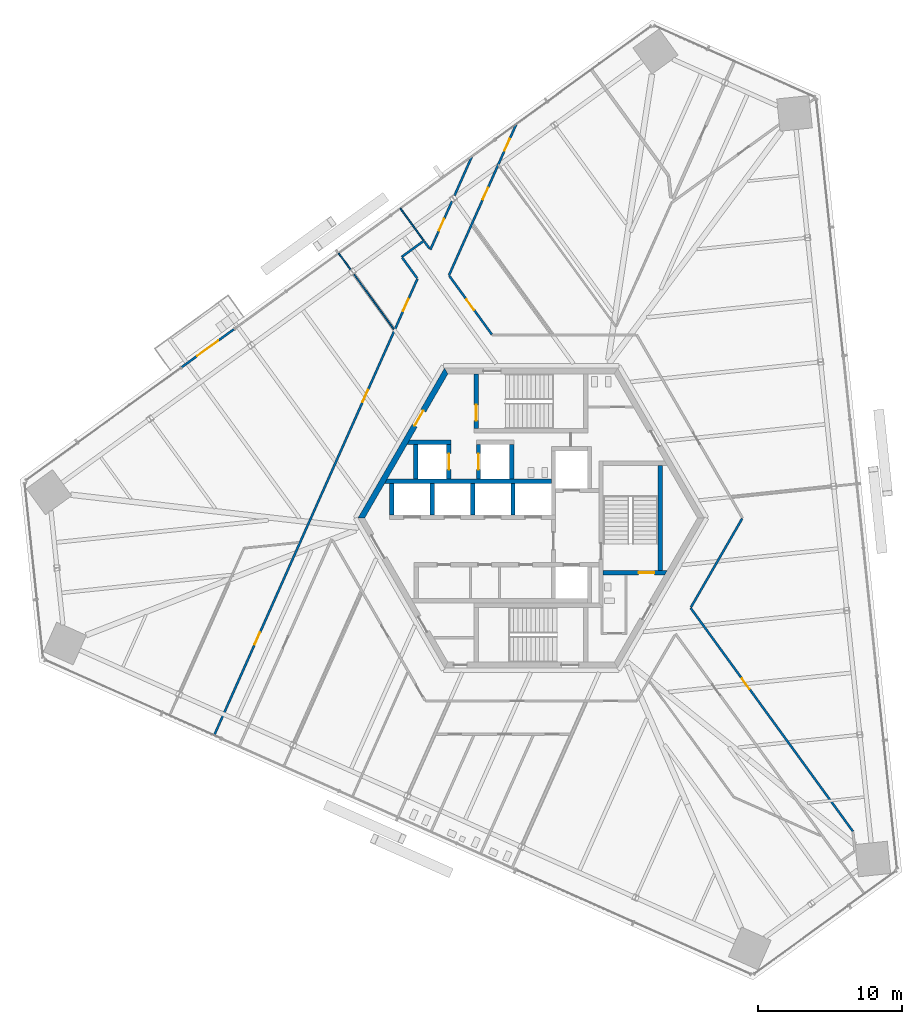
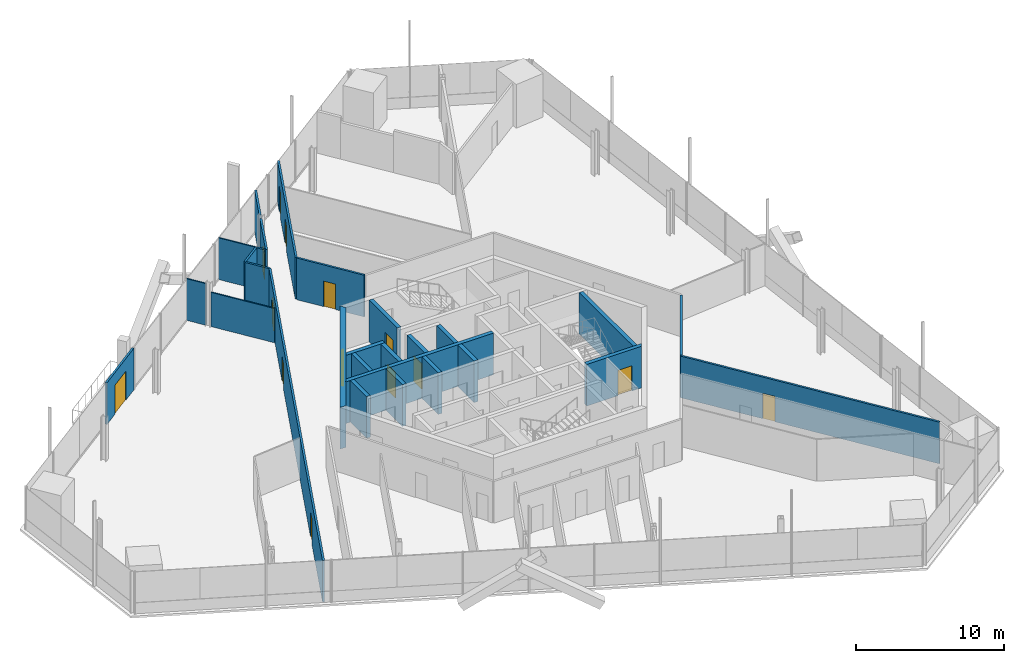
# One storey, part 13 of 21: 28 walls, 14 doors, 14 openings.
"""IFC4 building model written with IfcOpenShell, lengths in metres."""

from ifc_helpers import new_model, si_unit, direction, frame, frame_2d, origin, place, context, subcontext, project, spatial, polyline, rectangle, outline, extrude, source, transform, mapped, material, layer, layer_set, type_object, element, fill, save


model = new_model("IFC4")

# Units and contexts
model_context = context("Model", 3, precision=1e-05, world=origin(), true_north=direction((0.0, 1.0)))
body_context = subcontext(model_context, "Body", "Model", "MODEL_VIEW")
ifc_project = project(units=[si_unit("LENGTHUNIT", "METRE"), si_unit("AREAUNIT", "SQUARE_METRE"), si_unit("VOLUMEUNIT", "CUBIC_METRE"), si_unit("PLANEANGLEUNIT", "RADIAN"), si_unit("MASSUNIT", "GRAM", prefix="KILO")], contexts=[model_context])

# Site, building, storey
site_placement = place(None, origin())
site = spatial("IfcSite", under=ifc_project, at=site_placement, CompositionType="ELEMENT")
building_placement = place(site_placement, origin())
building = spatial("IfcBuilding", under=site, at=building_placement, Name="Triune Harvest Tower", CompositionType="ELEMENT")
storey_placement = place(building_placement, frame((0.0, 0.0, 72.89990234375)))
storey = spatial("IfcBuildingStorey", under=building, at=storey_placement, Name="L17", CompositionType="ELEMENT", Elevation=72.89990234375)

# Walls
ifc_material_1 = material(Name="Gypsum board on steel studs", Category="steel")
ifc_layer_1 = layer(ifc_material_1, 0.14990234375)
ifc_layer_set_1 = layer_set([ifc_layer_1], Name="Gypsum board on steel studs")
wall_type_1 = type_object("IfcWallType", Name="Fire Partition 150 mm", PredefinedType="PARTITIONING", material=ifc_layer_set_1)
wall_1_placement = place(storey_placement, frame((-8.936279296875, 18.052734375, 0.0), z_axis=(0.0, 0.0, 1.0), x_axis=(0.587733231641, -0.809054787035, 0.0)))
element("IfcWall", 1, at=wall_1_placement, inside=storey, type_object=wall_type_1, Name="Partition L17 008", PredefinedType="PARTITIONING", context=body_context, shape_type="SweptSolid", body=[
    extrude(rectangle(XDim=1.755126953125, YDim=0.14990234375, at=frame_2d((0.87744140625, 0.0))), origin(), (0.0, 0.0, 1.0), 3.440185546875),
])
wall_2_placement = place(storey_placement, frame((-7.4052734375, 19.17724609375, 0.0), z_axis=(0.0, 0.0, 1.0), x_axis=(0.587789668622, -0.809013785705, 0.0)))
element("IfcWall", 2, at=wall_2_placement, inside=storey, type_object=wall_type_1, Name="Partition L17 012", PredefinedType="PARTITIONING", context=body_context, shape_type="SweptSolid", body=[
    extrude(rectangle(XDim=0.608154296875, YDim=0.14990234375, at=frame_2d((0.30419921875, 0.0))), origin(), (0.0, 0.0, 1.0), 3.440185546875),
])

# Wall, opening, door
wall_3_placement = place(storey_placement, frame((-5.664306640625, 16.781005859375, 0.0), z_axis=(0.0, 0.0, 1.0), x_axis=(0.587792341651, -0.809011843607, 0.0)))
wall_3 = element("IfcWall", 3, at=wall_3_placement, inside=storey, type_object=wall_type_1, Name="Partition L17 013", PredefinedType="PARTITIONING", context=body_context, shape_type="SweptSolid", body=[
    extrude(rectangle(XDim=5.013671875, YDim=0.14990234375, at=frame_2d((2.5068359375, 0.0))), origin(), (0.0, 0.0, 1.0), 3.440185546875),
])
opening_1_placement = place(wall_3_placement, frame((2.00390625, 0.0, 0.0)))
opening_1 = element("IfcOpeningElement", 4, at=opening_1_placement, cuts=wall_3, Name="Opening L17-010", PredefinedType="OPENING", context=body_context, shape_type="SweptSolid", body=[
    extrude(rectangle(XDim=0.89990234375, YDim=2.10009765625, at=frame_2d((0.449951171875, 1.050048828125))), frame((0.0, 0.0849609375, 0.0), z_axis=(0.0, -1.0, 0.0), x_axis=(1.0, 0.0, 0.0)), (0.0, 0.0, 1.0), 0.169921875),
])
ifc_material_2 = material(Name="Timber and steel door set", Category="steel")
door_type_1 = type_object("IfcDoorType", Name="Single leaf door FD30 left hand 900 x 2100", OperationType="SINGLE_SWING_LEFT", PredefinedType="DOOR", material=ifc_material_2)
door_1_placement = place(opening_1_placement, origin())
door_1 = element("IfcDoor", 5, at=door_1_placement, inside=storey, type_object=door_type_1, Name="Door L17-010 Office 17.10", OperationType="SINGLE_SWING_LEFT", OverallHeight=2.10009765625, OverallWidth=0.89990234375, PredefinedType="DOOR", context=body_context, shape_type="SweptSolid", body=[
    extrude(rectangle(XDim=0.89990234375, YDim=2.10009765625, at=frame_2d((0.449951171875, 1.050048828125))), frame((0.0, 0.02490234375, 0.0), z_axis=(0.0, -1.0, 0.0), x_axis=(1.0, 0.0, 0.0)), (0.0, 0.0, 1.0), 0.050048828125),
])
fill(opening_1, door_1)

wall_4_placement = place(storey_placement, frame((11.056884765625, -6.2333984375, 0.0), z_axis=(0.0, 0.0, 1.0), x_axis=(0.587787220736, -0.809015564213, 0.0)))
wall_4 = element("IfcWall", 6, at=wall_4_placement, inside=storey, type_object=wall_type_1, Name="Partition L17 014", PredefinedType="PARTITIONING", context=body_context, shape_type="SweptSolid", body=[
    extrude(rectangle(XDim=19.145751953125, YDim=0.14990234375, at=frame_2d((9.57275390625, 0.0))), origin(), (0.0, 0.0, 1.0), 3.440185546875),
])
opening_2_placement = place(wall_4_placement, frame((6.0615234375, 0.0, 0.0)))
opening_2 = element("IfcOpeningElement", 7, at=opening_2_placement, cuts=wall_4, Name="Opening L17-002", PredefinedType="OPENING", context=body_context, shape_type="SweptSolid", body=[
    extrude(rectangle(XDim=0.89990234375, YDim=2.10009765625, at=frame_2d((0.449951171875, 1.050048828125))), frame((0.0, 0.0849609375, 0.0), z_axis=(0.0, -1.0, 0.0), x_axis=(1.0, 0.0, 0.0)), (0.0, 0.0, 1.0), 0.169921875),
])
door_2_placement = place(opening_2_placement, origin())
door_2 = element("IfcDoor", 8, at=door_2_placement, inside=storey, type_object=door_type_1, Name="Door L17-002 Open Office 17.02", OperationType="SINGLE_SWING_LEFT", OverallHeight=2.10009765625, OverallWidth=0.89990234375, PredefinedType="DOOR", context=body_context, shape_type="SweptSolid", body=[
    extrude(rectangle(XDim=0.89990234375, YDim=2.10009765625, at=frame_2d((0.449951171875, 1.050048828125))), frame((0.0, 0.02490234375, 0.0), z_axis=(0.0, -1.0, 0.0), x_axis=(1.0, 0.0, 0.0)), (0.0, 0.0, 1.0), 0.050048828125),
])
fill(opening_2, door_2)

# Walls
wall_5_placement = place(storey_placement, frame((-8.9716796875, 18.10107421875, 0.0), z_axis=(0.0, 0.0, 1.0), x_axis=(0.808995728754, 0.587814520796, 0.0)))
element("IfcWall", 9, at=wall_5_placement, inside=storey, type_object=wall_type_1, Name="Partition L17 028", PredefinedType="PARTITIONING", context=body_context, shape_type="SweptSolid", body=[
    extrude(rectangle(XDim=1.869873046875, YDim=0.14990234375, at=frame_2d((0.93505859375, 0.0))), origin(), (0.0, 0.0, 1.0), 3.440185546875),
])
wall_6_placement = place(storey_placement, frame((11.081787109375, -6.190185546875, 0.0), z_axis=(0.0, 0.0, 1.0), x_axis=(0.500012251463, 0.866018330284, 0.0)))
element("IfcWall", 10, at=wall_6_placement, inside=storey, type_object=wall_type_1, Name="Partition L17 030", PredefinedType="PARTITIONING", context=body_context, shape_type="SweptSolid", body=[
    extrude(rectangle(XDim=7.097900390625, YDim=0.14990234375, at=frame_2d((3.548828125, 0.0))), origin(), (0.0, 0.0, 1.0), 3.440185546875),
])

# Wall, openings, doors
wall_7_placement = place(storey_placement, frame((-5.693603515625, 16.8212890625, 0.0), z_axis=(0.0, 0.0, 1.0), x_axis=(0.406732074285, 0.913547491786, 0.0)))
wall_7 = element("IfcWall", 11, at=wall_7_placement, inside=storey, type_object=wall_type_1, Name="Partition L17 044", PredefinedType="PARTITIONING", context=body_context, shape_type="SweptSolid", body=[
    extrude(rectangle(XDim=11.484619140625, YDim=0.14990234375, at=frame_2d((5.7421875, 0.0))), origin(), (0.0, 0.0, 1.0), 3.440185546875),
])
opening_3_placement = place(wall_7_placement, frame((5.754150390625, 0.0, 0.0)))
opening_3 = element("IfcOpeningElement", 12, at=opening_3_placement, cuts=wall_7, Name="Opening L17-006", PredefinedType="OPENING", context=body_context, shape_type="SweptSolid", body=[
    extrude(rectangle(XDim=0.89990234375, YDim=2.10009765625, at=frame_2d((0.449951171875, 1.050048828125))), frame((0.0, 0.0849609375, 0.0), z_axis=(0.0, -1.0, 0.0), x_axis=(1.0, 0.0, 0.0)), (0.0, 0.0, 1.0), 0.169921875),
])
opening_4_placement = place(wall_7_placement, frame((9.455322265625, 0.0, 0.0)))
opening_4 = element("IfcOpeningElement", 13, at=opening_4_placement, cuts=wall_7, Name="Opening L17-007", PredefinedType="OPENING", context=body_context, shape_type="SweptSolid", body=[
    extrude(rectangle(XDim=0.89990234375, YDim=2.10009765625, at=frame_2d((0.449951171875, 1.050048828125))), frame((0.0, 0.0849609375, 0.0), z_axis=(0.0, -1.0, 0.0), x_axis=(1.0, 0.0, 0.0)), (0.0, 0.0, 1.0), 0.169921875),
])
door_3_placement = place(opening_3_placement, origin())
door_3 = element("IfcDoor", 14, at=door_3_placement, inside=storey, type_object=door_type_1, Name="Door L17-006 Project Room 17.06", OperationType="SINGLE_SWING_LEFT", OverallHeight=2.10009765625, OverallWidth=0.89990234375, PredefinedType="DOOR", context=body_context, shape_type="SweptSolid", body=[
    extrude(rectangle(XDim=0.89990234375, YDim=2.10009765625, at=frame_2d((0.449951171875, 1.050048828125))), frame((0.0, 0.02490234375, 0.0), z_axis=(0.0, -1.0, 0.0), x_axis=(1.0, 0.0, 0.0)), (0.0, 0.0, 1.0), 0.050048828125),
])
fill(opening_3, door_3)
door_4_placement = place(opening_4_placement, origin())
door_4 = element("IfcDoor", 15, at=door_4_placement, inside=storey, type_object=door_type_1, Name="Door L17-007 Office 17.07", OperationType="SINGLE_SWING_LEFT", OverallHeight=2.10009765625, OverallWidth=0.89990234375, PredefinedType="DOOR", context=body_context, shape_type="SweptSolid", body=[
    extrude(rectangle(XDim=0.89990234375, YDim=2.10009765625, at=frame_2d((0.449951171875, 1.050048828125))), frame((0.0, 0.02490234375, 0.0), z_axis=(0.0, -1.0, 0.0), x_axis=(1.0, 0.0, 0.0)), (0.0, 0.0, 1.0), 0.050048828125),
])
fill(opening_4, door_4)

wall_8_placement = place(storey_placement, frame((-21.969970703125, -15.064208984375, 0.0), z_axis=(0.0, 0.0, 1.0), x_axis=(0.406741745342, 0.91354318595, 0.0)))
wall_8 = element("IfcWall", 16, at=wall_8_placement, inside=storey, type_object=wall_type_1, Name="Partition L17 045", PredefinedType="PARTITIONING", context=body_context, shape_type="SweptSolid", body=[
    extrude(rectangle(XDim=34.652099609375, YDim=0.14990234375, at=frame_2d((17.326171875, 0.0))), origin(), (0.0, 0.0, 1.0), 3.440185546875),
])
opening_5_placement = place(wall_8_placement, frame((32.2021484375, 0.0, 0.0)))
opening_5 = element("IfcOpeningElement", 17, at=opening_5_placement, cuts=wall_8, Name="Opening L17-008", PredefinedType="OPENING", context=body_context, shape_type="SweptSolid", body=[
    extrude(rectangle(XDim=0.89990234375, YDim=2.10009765625, at=frame_2d((0.449951171875, 1.050048828125))), frame((0.0, 0.0849609375, 0.0), z_axis=(0.0, -1.0, 0.0), x_axis=(1.0, 0.0, 0.0)), (0.0, 0.0, 1.0), 0.169921875),
])
opening_6_placement = place(wall_8_placement, frame((25.298095703125, 0.0, 0.0)))
opening_6 = element("IfcOpeningElement", 18, at=opening_6_placement, cuts=wall_8, Name="Opening L17-011", PredefinedType="OPENING", context=body_context, shape_type="SweptSolid", body=[
    extrude(rectangle(XDim=0.89990234375, YDim=2.10009765625, at=frame_2d((0.449951171875, 1.050048828125))), frame((0.0, 0.0849609375, 0.0), z_axis=(0.0, -1.0, 0.0), x_axis=(1.0, 0.0, 0.0)), (0.0, 0.0, 1.0), 0.169921875),
])
opening_7_placement = place(wall_8_placement, frame((6.897705078125, 0.0, 0.0)))
opening_7 = element("IfcOpeningElement", 19, at=opening_7_placement, cuts=wall_8, Name="Opening L17-012", PredefinedType="OPENING", context=body_context, shape_type="SweptSolid", body=[
    extrude(rectangle(XDim=0.89990234375, YDim=2.10009765625, at=frame_2d((0.449951171875, 1.050048828125))), frame((0.0, 0.0849609375, 0.0), z_axis=(0.0, -1.0, 0.0), x_axis=(1.0, 0.0, 0.0)), (0.0, 0.0, 1.0), 0.169921875),
])
door_5_placement = place(opening_7_placement, origin())
door_5 = element("IfcDoor", 20, at=door_5_placement, inside=storey, type_object=door_type_1, Name="Door L17-012 Office 17.12", OperationType="SINGLE_SWING_LEFT", OverallHeight=2.10009765625, OverallWidth=0.89990234375, PredefinedType="DOOR", context=body_context, shape_type="SweptSolid", body=[
    extrude(rectangle(XDim=0.89990234375, YDim=2.10009765625, at=frame_2d((0.449951171875, 1.050048828125))), frame((0.0, 0.02490234375, 0.0), z_axis=(0.0, -1.0, 0.0), x_axis=(1.0, 0.0, 0.0)), (0.0, 0.0, 1.0), 0.050048828125),
])
fill(opening_7, door_5)
ifc_material_3 = material(Name="Timber and steel door set", Category="steel")
door_type_2 = type_object("IfcDoorType", Name="Single leaf door FD30 right hand 900 x 2100", OperationType="SINGLE_SWING_RIGHT", PredefinedType="DOOR", material=ifc_material_3)
door_6_placement = place(opening_5_placement, origin())
door_6 = element("IfcDoor", 21, at=door_6_placement, inside=storey, type_object=door_type_2, Name="Door L17-008 Meeting Room 17.08", OperationType="SINGLE_SWING_RIGHT", OverallHeight=2.10009765625, OverallWidth=0.89990234375, PredefinedType="DOOR", context=body_context, shape_type="SweptSolid", body=[
    extrude(rectangle(XDim=0.89990234375, YDim=2.10009765625, at=frame_2d((0.449951171875, 1.050048828125))), frame((0.0, 0.02490234375, 0.0), z_axis=(0.0, -1.0, 0.0), x_axis=(1.0, 0.0, 0.0)), (0.0, 0.0, 1.0), 0.050048828125),
])
fill(opening_5, door_6)
door_7_placement = place(opening_6_placement, origin())
door_7 = element("IfcDoor", 22, at=door_7_placement, inside=storey, type_object=door_type_2, Name="Door L17-011 Open Office 17.11", OperationType="SINGLE_SWING_RIGHT", OverallHeight=2.10009765625, OverallWidth=0.89990234375, PredefinedType="DOOR", context=body_context, shape_type="SweptSolid", body=[
    extrude(rectangle(XDim=0.89990234375, YDim=2.10009765625, at=frame_2d((0.449951171875, 1.050048828125))), frame((0.0, 0.02490234375, 0.0), z_axis=(0.0, -1.0, 0.0), x_axis=(1.0, 0.0, 0.0)), (0.0, 0.0, 1.0), 0.050048828125),
])
fill(opening_6, door_7)

# Wall, opening, door
wall_9_placement = place(storey_placement, frame((-6.983154296875, 18.596435546875, 0.0), z_axis=(0.0, 0.0, 1.0), x_axis=(0.406753031703, 0.913538160779, 0.0)))
wall_9 = element("IfcWall", 23, at=wall_9_placement, inside=storey, type_object=wall_type_1, Name="Partition L17 046", PredefinedType="PARTITIONING", context=body_context, shape_type="SweptSolid", body=[
    extrude(rectangle(XDim=3.685302734375, YDim=0.14990234375, at=frame_2d((1.8427734375, 0.0))), origin(), (0.0, 0.0, 1.0), 3.440185546875),
])
opening_8_placement = place(wall_9_placement, frame((1.4541015625, 0.0, 0.0)))
opening_8 = element("IfcOpeningElement", 24, at=opening_8_placement, cuts=wall_9, Name="Opening L17-009", PredefinedType="OPENING", context=body_context, shape_type="SweptSolid", body=[
    extrude(rectangle(XDim=0.89990234375, YDim=2.10009765625, at=frame_2d((0.449951171875, 1.050048828125))), frame((0.0, 0.0849609375, 0.0), z_axis=(0.0, -1.0, 0.0), x_axis=(1.0, 0.0, 0.0)), (0.0, 0.0, 1.0), 0.169921875),
])
door_8_placement = place(opening_8_placement, origin())
door_8 = element("IfcDoor", 25, at=door_8_placement, inside=storey, type_object=door_type_2, Name="Door L17-009 Office 17.09", OperationType="SINGLE_SWING_RIGHT", OverallHeight=2.10009765625, OverallWidth=0.89990234375, PredefinedType="DOOR", context=body_context, shape_type="SweptSolid", body=[
    extrude(rectangle(XDim=0.89990234375, YDim=2.10009765625, at=frame_2d((0.449951171875, 1.050048828125))), frame((0.0, 0.02490234375, 0.0), z_axis=(0.0, -1.0, 0.0), x_axis=(1.0, 0.0, 0.0)), (0.0, 0.0, 1.0), 0.050048828125),
])
fill(opening_8, door_8)

# Walls
wall_10_placement = place(storey_placement, frame((-5.306396484375, 22.36279296875, 0.0), z_axis=(0.0, 0.0, 1.0), x_axis=(0.406770569209, 0.913530352, 0.0)))
element("IfcWall", 26, at=wall_10_placement, inside=storey, type_object=wall_type_1, Name="Partition L17 047", PredefinedType="PARTITIONING", context=body_context, shape_type="SweptSolid", body=[
    extrude(rectangle(XDim=2.973876953125, YDim=0.14990234375, at=frame_2d((1.48681640625, 0.0))), origin(), (0.0, 0.0, 1.0), 3.440185546875),
])
ifc_material_4 = material(Name="Gypsum board on steel studs", Category="steel")
ifc_layer_2 = layer(ifc_material_4, 0.10009765625)
ifc_layer_set_2 = layer_set([ifc_layer_2], Name="Gypsum board on steel studs")
wall_type_2 = type_object("IfcWallType", Name="Partition 100 mm", PredefinedType="PARTITIONING", material=ifc_layer_set_2)
wall_11_placement = place(storey_placement, frame((-13.34130859375, 18.36279296875, 0.0), z_axis=(0.0, 0.0, 1.0), x_axis=(0.587782622309, -0.809018905164, 0.0)))
element("IfcWall", 27, at=wall_11_placement, inside=storey, type_object=wall_type_2, Name="Partition L17 005", PredefinedType="PARTITIONING", context=body_context, shape_type="SweptSolid", body=[
    extrude(rectangle(XDim=1.41796875, YDim=0.10009765625, at=frame_2d((0.708984375, 0.0))), origin(), (0.0, 0.0, 1.0), 3.440185546875),
])

# Wall, opening, door
ifc_material_5 = material(Name="Aluminium bronze anodised", Category="aluminium")
ifc_layer_3 = layer(ifc_material_5, 0.14990234375)
ifc_layer_set_3 = layer_set([ifc_layer_3], Name="Aluminium bronze anodised")
wall_type_3 = type_object("IfcWallType", Name="WW-2 balcony window wall", PredefinedType="ELEMENTEDWALL", material=ifc_layer_set_3)
wall_12_placement = place(storey_placement, frame((-24.22802734375, 10.453369140625, 0.0), z_axis=(0.0, 0.0, 1.0), x_axis=(0.809025487211, 0.587773562728, 0.0)))
wall_12 = element("IfcWall", 28, at=wall_12_placement, inside=storey, type_object=wall_type_3, Name="WW-2 B2-F3 L17.9", PredefinedType="ELEMENTEDWALL", context=body_context, shape_type="SweptSolid", body=[
    extrude(rectangle(XDim=4.485595703125, YDim=0.14990234375, at=frame_2d((2.24267578125, 0.0))), origin(), (0.0, 0.0, 1.0), 3.440185546875),
])
opening_9_placement = place(wall_12_placement, frame((1.3427734375, 0.0, 0.0)))
opening_9 = element("IfcOpeningElement", 29, at=opening_9_placement, cuts=wall_12, Name="Opening L17-E01", PredefinedType="OPENING", context=body_context, shape_type="SweptSolid", body=[
    extrude(rectangle(XDim=1.800048828125, YDim=2.39990234375, at=frame_2d((0.89990234375, 1.199951171875))), frame((0.0, 0.0849609375, 0.0), z_axis=(0.0, -1.0, 0.0), x_axis=(1.0, 0.0, 0.0)), (0.0, 0.0, 1.0), 0.169921875),
])
ifc_material_6 = material(Name="Glass", Category="glass")
door_type_3 = type_object("IfcDoorType", Name="DB-1 balcony door 1800 x 2400", OperationType="DOUBLE_DOOR_SINGLE_SWING", PredefinedType="DOOR", material=ifc_material_6)
door_9_placement = place(opening_9_placement, origin())
door_9 = element("IfcDoor", 30, at=door_9_placement, inside=storey, type_object=door_type_3, Name="Door L17-E01", OperationType="DOUBLE_DOOR_SINGLE_SWING", OverallHeight=2.39990234375, OverallWidth=1.800048828125, PredefinedType="DOOR", context=body_context, shape_type="SweptSolid", body=[
    extrude(rectangle(XDim=1.800048828125, YDim=2.39990234375, at=frame_2d((0.89990234375, 1.199951171875))), frame((0.0, 0.02490234375, 0.0), z_axis=(0.0, -1.0, 0.0), x_axis=(1.0, 0.0, 0.0)), (0.0, 0.0, 1.0), 0.050048828125),
])
fill(opening_9, door_9)

ifc_material_7 = material(Name="Concrete 70 MPa", Category="concrete")
ifc_layer_4 = layer(ifc_material_7, 0.39990234375)
ifc_layer_set_4 = layer_set([ifc_layer_4], Name="Concrete 70 MPa")
wall_type_4 = type_object("IfcWallType", Name="Core wall 400", PredefinedType="SHEAR", material=ifc_layer_set_4)
shared_shape_1 = source(origin(), body_context, "Body", "SweptSolid", [
    extrude(outline(polyline([(-0.115478515625, -0.199951171875), (11.884521484375, -0.199951171875), (11.653564453125, 0.199951171875), (0.115478515625, 0.199951171875), (-0.115478515625, -0.199951171875)])), origin(), (0.0, 0.0, 1.0), 3.440185546875),
])
wall_13_placement = place(storey_placement, frame((-5.884521484375, 10.1923828125, 0.0), z_axis=(0.0, 0.0, 1.0), x_axis=(-0.499996592174, -0.866027371285, 0.0)))
wall_13 = element("IfcWall", 31, at=wall_13_placement, inside=storey, type_object=wall_type_4, Name="Hexagon 2 wall", PredefinedType="SHEAR", context=body_context, shape_type="MappedRepresentation", body=[
    mapped(shared_shape_1, transform((0.0, 0.0, 0.0), scale=1.0)),
])
opening_10_placement = place(wall_13_placement, frame((3.1845703125, 0.0, 0.0)))
opening_10 = element("IfcOpeningElement", 32, at=opening_10_placement, cuts=wall_13, Name="Opening CD-SVP", PredefinedType="OPENING", context=body_context, shape_type="SweptSolid", body=[
    extrude(rectangle(XDim=1.199951171875, YDim=2.10009765625, at=frame_2d((0.60009765625, 1.050048828125))), frame((0.0, 0.2099609375, 0.0), z_axis=(0.0, -1.0, 0.0), x_axis=(1.0, 0.0, 0.0)), (0.0, 0.0, 1.0), 0.419921875),
])
ifc_material_8 = material(Name="Steel S235", Category="steel")
door_type_4 = type_object("IfcDoorType", Name="Service door 1200 FD120", OperationType="SINGLE_SWING_LEFT", PredefinedType="DOOR", material=ifc_material_8)
door_10_placement = place(opening_10_placement, frame((1.199951171875, 0.0, 0.0), z_axis=(0.0, 0.0, 1.0), x_axis=(-1.0, 0.0, 0.0)))
door_10 = element("IfcDoor", 33, at=door_10_placement, inside=storey, type_object=door_type_4, Name="Door CD-SVP", OperationType="SINGLE_SWING_RIGHT", OverallHeight=2.10009765625, OverallWidth=1.199951171875, PredefinedType="DOOR", context=body_context, shape_type="SweptSolid", body=[
    extrude(rectangle(XDim=1.199951171875, YDim=2.10009765625, at=frame_2d((0.60009765625, 1.050048828125))), frame((0.0, 0.02490234375, 0.0), z_axis=(0.0, -1.0, 0.0), x_axis=(1.0, 0.0, 0.0)), (0.0, 0.0, 1.0), 0.050048828125),
])
fill(opening_10, door_10)

# Walls
ifc_material_9 = material(Name="Concrete 70 MPa", Category="concrete")
ifc_layer_5 = layer(ifc_material_9, 0.300048828125)
ifc_layer_set_5 = layer_set([ifc_layer_5], Name="Concrete 70 MPa")
wall_type_5 = type_object("IfcWallType", Name="Core wall 300", PredefinedType="SHEAR", material=ifc_layer_set_5)
shared_shape_2 = source(origin(), body_context, "Body", "SweptSolid", [
    extrude(outline(polyline([(11.199951171875, -0.14990234375), (-0.34912109375, -0.14990234375), (-0.17578125, 0.14990234375), (11.199951171875, 0.14990234375), (11.199951171875, -0.14990234375)])), origin(), (0.0, 0.0, 1.0), 3.440185546875),
])
wall_14_placement = place(storey_placement, frame((-9.800048828125, 2.56005859375, 0.0), z_axis=(0.0, 0.0, 1.0), x_axis=(1.0, 0.0, 0.0)))
element("IfcWall", 34, at=wall_14_placement, inside=storey, type_object=wall_type_5, Name="North back wall", PredefinedType="SHEAR", context=body_context, shape_type="MappedRepresentation", body=[
    mapped(shared_shape_2, transform((0.0, 0.0, 0.0), scale=1.0)),
])
shared_shape_3 = source(origin(), body_context, "Body", "SweptSolid", [
    extrude(rectangle(XDim=2.199951171875, YDim=0.300048828125, at=frame_2d((1.10009765625, 0.0))), origin(), (0.0, 0.0, 1.0), 3.440185546875),
])
for number, where, z_axis, x_axis, name in (
    (35, (-9.64990234375, 0.2099609375, 0.0), (0.0, 0.0, 1.0), (0.0, 1.0, 0.0), "North end west wall"),
    (36, (-6.85009765625, 0.2099609375, 0.0), (0.0, 0.0, 1.0), (0.0, 1.0, 0.0), "North cross 1 wall"),
    (37, (-4.050048828125, 0.2099609375, 0.0), (0.0, 0.0, 1.0), (0.0, 1.0, 0.0), "North cross 2 wall"),
    (38, (-1.25, 0.2099609375, 0.0), (0.0, 0.0, 1.0), (0.0, 1.0, 0.0), "North cross 3 wall"),
):
    element("IfcWall", number, at=place(storey_placement, frame(where, z_axis=z_axis, x_axis=x_axis)), inside=storey, type_object=wall_type_5, Name=name, PredefinedType="SHEAR", context=body_context, shape_type="MappedRepresentation", body=[
        mapped(shared_shape_3, transform((0.0, 0.0, 0.0), scale=1.0)),
    ])

# Wall, opening, door
shared_shape_4 = source(origin(), body_context, "Body", "SweptSolid", [
    extrude(outline(polyline([(0.0, -0.14990234375), (0.0, 0.14990234375), (4.43310546875, 0.14990234375), (4.260009765625, -0.14990234375), (0.0, -0.14990234375)])), origin(), (0.0, 0.0, 1.0), 3.440185546875),
])
wall_15_placement = place(storey_placement, frame((5.0, -3.800048828125, 0.0), z_axis=(0.0, 0.0, 1.0), x_axis=(1.0, 0.0, 0.0)))
wall_15 = element("IfcWall", 39, at=wall_15_placement, inside=storey, type_object=wall_type_5, Name="Stair e south wall", PredefinedType="SHEAR", context=body_context, shape_type="MappedRepresentation", body=[
    mapped(shared_shape_4, transform((0.0, 0.0, 0.0), scale=1.0)),
])
opening_11_placement = place(wall_15_placement, frame((2.449951171875, 0.0, 0.0)))
opening_11 = element("IfcOpeningElement", 40, at=opening_11_placement, cuts=wall_15, Name="Opening CD-S3D", PredefinedType="OPENING", context=body_context, shape_type="SweptSolid", body=[
    extrude(rectangle(XDim=1.10009765625, YDim=2.10009765625, at=frame_2d((0.550048828125, 1.050048828125))), frame((0.0, 0.16015625, 0.0), z_axis=(0.0, -1.0, 0.0), x_axis=(1.0, 0.0, 0.0)), (0.0, 0.0, 1.0), 0.320068359375),
])
ifc_material_10 = material(Name="Steel S235", Category="steel")
door_type_5 = type_object("IfcDoorType", Name="Stair door 1100 FD120", OperationType="SINGLE_SWING_LEFT", PredefinedType="DOOR", material=ifc_material_10)
door_11_placement = place(opening_11_placement, frame((1.10009765625, 0.0, 0.0), z_axis=(0.0, 0.0, 1.0), x_axis=(-1.0, 0.0, 0.0)))
door_11 = element("IfcDoor", 41, at=door_11_placement, inside=storey, type_object=door_type_5, Name="Door CD-S3D", OperationType="SINGLE_SWING_RIGHT", OverallHeight=2.10009765625, OverallWidth=1.10009765625, PredefinedType="DOOR", context=body_context, shape_type="SweptSolid", body=[
    extrude(rectangle(XDim=1.10009765625, YDim=2.10009765625, at=frame_2d((0.550048828125, 1.050048828125))), frame((0.0, 0.02490234375, 0.0), z_axis=(0.0, -1.0, 0.0), x_axis=(1.0, 0.0, 0.0)), (0.0, 0.0, 1.0), 0.050048828125),
])
fill(opening_11, door_11)

# Wall
shared_shape_5 = source(origin(), body_context, "Body", "SweptSolid", [
    extrude(rectangle(XDim=7.2998046875, YDim=0.300048828125, at=frame_2d((3.64990234375, 0.0))), origin(), (0.0, 0.0, 1.0), 3.440185546875),
])
wall_16_placement = place(storey_placement, frame((8.949951171875, -3.64990234375, 0.0), z_axis=(0.0, 0.0, 1.0), x_axis=(0.0, 1.0, 0.0)))
element("IfcWall", 42, at=wall_16_placement, inside=storey, type_object=wall_type_5, Name="Stair e east wall", PredefinedType="SHEAR", context=body_context, shape_type="MappedRepresentation", body=[
    mapped(shared_shape_5, transform((0.0, 0.0, 0.0), scale=1.0)),
])

# Wall, opening, door
shared_shape_6 = source(origin(), body_context, "Body", "SweptSolid", [
    extrude(outline(polyline([(0.0, -0.14990234375), (0.0, 0.14990234375), (3.80419921875, 0.14990234375), (3.80419921875, -0.14990234375), (0.0, -0.14990234375)])), origin(), (0.0, 0.0, 1.0), 3.440185546875),
])
wall_17_placement = place(storey_placement, frame((-3.800048828125, 6.18994140625, 0.0), z_axis=(0.0, 0.0, 1.0), x_axis=(0.0, 1.0, 0.0)))
wall_17 = element("IfcWall", 43, at=wall_17_placement, inside=storey, type_object=wall_type_5, Name="Stair n west wall", PredefinedType="SHEAR", context=body_context, shape_type="MappedRepresentation", body=[
    mapped(shared_shape_6, transform((0.0, 0.0, 0.0), scale=1.0)),
])
opening_12_placement = place(wall_17_placement, frame((0.56005859375, 0.0, 0.0)))
opening_12 = element("IfcOpeningElement", 44, at=opening_12_placement, cuts=wall_17, Name="Opening CD-S1L", PredefinedType="OPENING", context=body_context, shape_type="SweptSolid", body=[
    extrude(rectangle(XDim=1.10009765625, YDim=2.10009765625, at=frame_2d((0.550048828125, 1.050048828125))), frame((0.0, 0.16015625, 0.0), z_axis=(0.0, -1.0, 0.0), x_axis=(1.0, 0.0, 0.0)), (0.0, 0.0, 1.0), 0.320068359375),
])
door_12_placement = place(opening_12_placement, frame((1.10009765625, 0.0, 0.0), z_axis=(0.0, 0.0, 1.0), x_axis=(-1.0, 0.0, 0.0)))
door_12 = element("IfcDoor", 45, at=door_12_placement, inside=storey, type_object=door_type_5, Name="Door CD-S1L", OperationType="SINGLE_SWING_RIGHT", OverallHeight=2.10009765625, OverallWidth=1.10009765625, PredefinedType="DOOR", context=body_context, shape_type="SweptSolid", body=[
    extrude(rectangle(XDim=1.10009765625, YDim=2.10009765625, at=frame_2d((0.550048828125, 1.050048828125))), frame((0.0, 0.02490234375, 0.0), z_axis=(0.0, -1.0, 0.0), x_axis=(1.0, 0.0, 0.0)), (0.0, 0.0, 1.0), 0.050048828125),
])
fill(opening_12, door_12)

# Walls
shared_shape_7 = source(origin(), body_context, "Body", "SweptSolid", [
    extrude(outline(polyline([(2.60009765625, -0.14990234375), (-0.440185546875, -0.14990234375), (-0.26708984375, 0.14990234375), (2.60009765625, 0.14990234375), (2.60009765625, -0.14990234375)])), origin(), (0.0, 0.0, 1.0), 3.440185546875),
])
wall_18_placement = place(storey_placement, frame((-8.14990234375, 5.260009765625, 0.0), z_axis=(0.0, 0.0, 1.0), x_axis=(1.0, 0.0, 0.0)))
element("IfcWall", 46, at=wall_18_placement, inside=storey, type_object=wall_type_5, Name="Sv1 north wall", PredefinedType="SHEAR", context=body_context, shape_type="MappedRepresentation", body=[
    mapped(shared_shape_7, transform((0.0, 0.0, 0.0), scale=1.0)),
])
shared_shape_8 = source(origin(), body_context, "Body", "SweptSolid", [
    extrude(rectangle(XDim=2.400146484375, YDim=0.300048828125, at=frame_2d((1.2001953125, 0.0))), origin(), (0.0, 0.0, 1.0), 3.440185546875),
])
wall_19_placement = place(storey_placement, frame((-8.0, 2.7099609375, 0.0), z_axis=(0.0, 0.0, 1.0), x_axis=(0.0, 1.0, 0.0)))
element("IfcWall", 47, at=wall_19_placement, inside=storey, type_object=wall_type_5, Name="Sv1 west wall", PredefinedType="SHEAR", context=body_context, shape_type="MappedRepresentation", body=[
    mapped(shared_shape_8, transform((0.0, 0.0, 0.0), scale=1.0)),
])

# Wall, opening, door
wall_20_placement = place(storey_placement, frame((-5.699951171875, 2.7099609375, 0.0), z_axis=(0.0, 0.0, 1.0), x_axis=(0.0, 1.0, 0.0)))
wall_20 = element("IfcWall", 48, at=wall_20_placement, inside=storey, type_object=wall_type_5, Name="Sv1 east wall", PredefinedType="SHEAR", context=body_context, shape_type="MappedRepresentation", body=[
    mapped(shared_shape_8, transform((0.0, 0.0, 0.0), scale=1.0)),
])
opening_13_placement = place(wall_20_placement, frame((0.64990234375, 0.0, 0.0)))
opening_13 = element("IfcOpeningElement", 49, at=opening_13_placement, cuts=wall_20, Name="Opening LD-SV1-17", PredefinedType="OPENING", context=body_context, shape_type="SweptSolid", body=[
    extrude(rectangle(XDim=1.10009765625, YDim=2.10009765625, at=frame_2d((0.550048828125, 1.050048828125))), frame((0.0, 0.16015625, 0.0), z_axis=(0.0, -1.0, 0.0), x_axis=(1.0, 0.0, 0.0)), (0.0, 0.0, 1.0), 0.320068359375),
])
ifc_material_11 = material(Name="Stainless steel AISI 304", Category="steel")
door_type_6 = type_object("IfcDoorType", Name="Landing door 1100 x 2100", OperationType="DOUBLE_DOOR_SLIDING", PredefinedType="DOOR", material=ifc_material_11)
door_13_placement = place(opening_13_placement, origin())
door_13 = element("IfcDoor", 50, at=door_13_placement, inside=storey, type_object=door_type_6, Name="Door LD-SV1-17", OperationType="DOUBLE_DOOR_SLIDING", OverallHeight=2.10009765625, OverallWidth=1.10009765625, PredefinedType="DOOR", context=body_context, shape_type="SweptSolid", body=[
    extrude(rectangle(XDim=1.10009765625, YDim=2.10009765625, at=frame_2d((0.550048828125, 1.050048828125))), frame((0.0, 0.02490234375, 0.0), z_axis=(0.0, -1.0, 0.0), x_axis=(1.0, 0.0, 0.0)), (0.0, 0.0, 1.0), 0.050048828125),
])
fill(opening_13, door_13)

wall_21_placement = place(storey_placement, frame((-3.64990234375, 2.7099609375, 0.0), z_axis=(0.0, 0.0, 1.0), x_axis=(0.0, 1.0, 0.0)))
wall_21 = element("IfcWall", 51, at=wall_21_placement, inside=storey, type_object=wall_type_5, Name="Sv2 west wall", PredefinedType="SHEAR", context=body_context, shape_type="MappedRepresentation", body=[
    mapped(shared_shape_8, transform((0.0, 0.0, 0.0), scale=1.0)),
])
opening_14_placement = place(wall_21_placement, frame((0.64990234375, 0.0, 0.0)))
opening_14 = element("IfcOpeningElement", 52, at=opening_14_placement, cuts=wall_21, Name="Opening LD-SV2-17", PredefinedType="OPENING", context=body_context, shape_type="SweptSolid", body=[
    extrude(rectangle(XDim=1.10009765625, YDim=2.10009765625, at=frame_2d((0.550048828125, 1.050048828125))), frame((0.0, 0.16015625, 0.0), z_axis=(0.0, -1.0, 0.0), x_axis=(1.0, 0.0, 0.0)), (0.0, 0.0, 1.0), 0.320068359375),
])
door_14_placement = place(opening_14_placement, origin())
door_14 = element("IfcDoor", 53, at=door_14_placement, inside=storey, type_object=door_type_6, Name="Door LD-SV2-17", OperationType="DOUBLE_DOOR_SLIDING", OverallHeight=2.10009765625, OverallWidth=1.10009765625, PredefinedType="DOOR", context=body_context, shape_type="SweptSolid", body=[
    extrude(rectangle(XDim=1.10009765625, YDim=2.10009765625, at=frame_2d((0.550048828125, 1.050048828125))), frame((0.0, 0.02490234375, 0.0), z_axis=(0.0, -1.0, 0.0), x_axis=(1.0, 0.0, 0.0)), (0.0, 0.0, 1.0), 0.050048828125),
])
fill(opening_14, door_14)

# Walls
wall_22_placement = place(storey_placement, frame((-1.35009765625, 2.7099609375, 0.0), z_axis=(0.0, 0.0, 1.0), x_axis=(0.0, 1.0, 0.0)))
element("IfcWall", 54, at=wall_22_placement, inside=storey, type_object=wall_type_5, Name="Sv2 east wall", PredefinedType="SHEAR", context=body_context, shape_type="MappedRepresentation", body=[
    mapped(shared_shape_8, transform((0.0, 0.0, 0.0), scale=1.0)),
])
shared_shape_9 = source(origin(), body_context, "Body", "SweptSolid", [
    extrude(rectangle(XDim=4.71533203125, YDim=0.10009765625, at=frame_2d((2.357666015625, 0.0))), origin(), (0.0, 0.0, 1.0), 2.827880859375),
])
wall_23_placement = place(storey_placement, frame((-12.2880859375, 16.9130859375, 0.0), z_axis=(0.0, 0.0, 1.0), x_axis=(0.58781144721, -0.808997962006, 0.0)))
element("IfcWall", 55, at=wall_23_placement, inside=storey, type_object=wall_type_2, Name="Partition L17 006", PredefinedType="PARTITIONING", context=body_context, shape_type="MappedRepresentation", body=[
    mapped(shared_shape_9, transform((0.0, 0.0, 0.0), scale=1.0)),
])
shared_shape_10 = source(origin(), body_context, "Body", "SweptSolid", [
    extrude(rectangle(XDim=2.7802734375, YDim=0.10009765625, at=frame_2d((1.39013671875, 0.0))), origin(), (0.0, 0.0, 1.0), 3.440185546875),
])
wall_24_placement = place(storey_placement, frame((-9.06884765625, 21.467041015625, 0.0), z_axis=(0.0, 0.0, 1.0), x_axis=(0.587806154415, -0.809001807682, 0.0)))
element("IfcWall", 56, at=wall_24_placement, inside=storey, type_object=wall_type_2, Name="Partition L17 011", PredefinedType="PARTITIONING", context=body_context, shape_type="MappedRepresentation", body=[
    mapped(shared_shape_10, transform((0.0, 0.0, 0.0), scale=1.0)),
])

save(model, "model.ifc")
